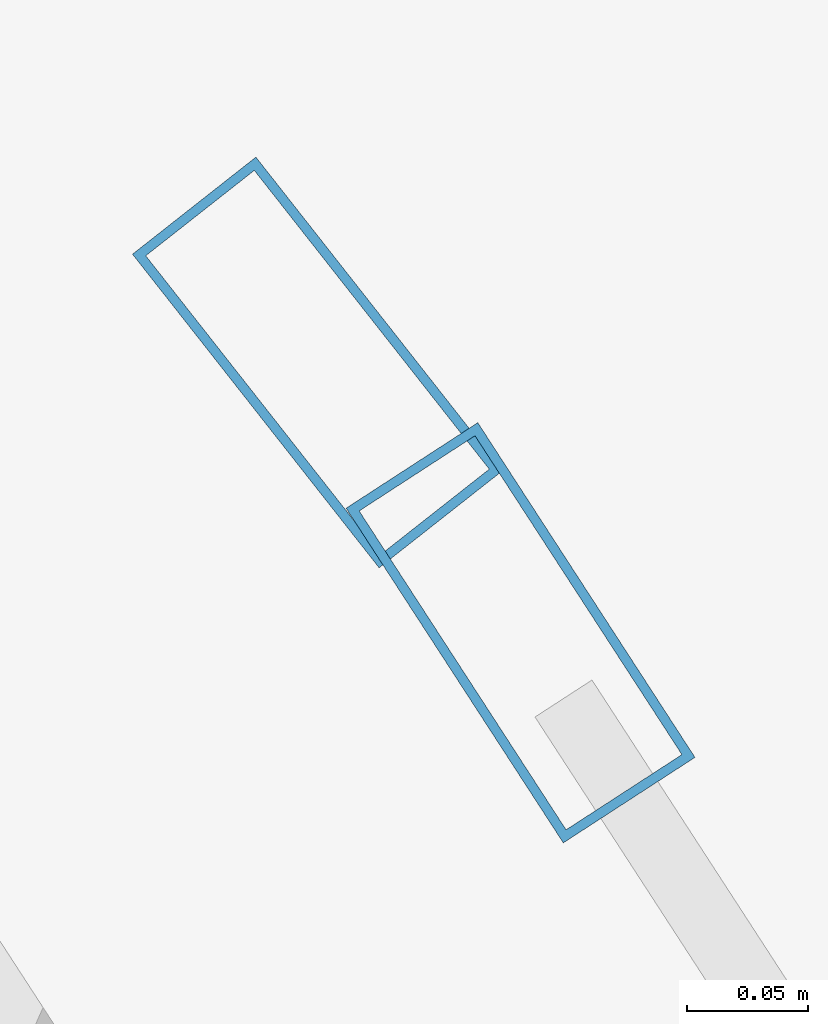
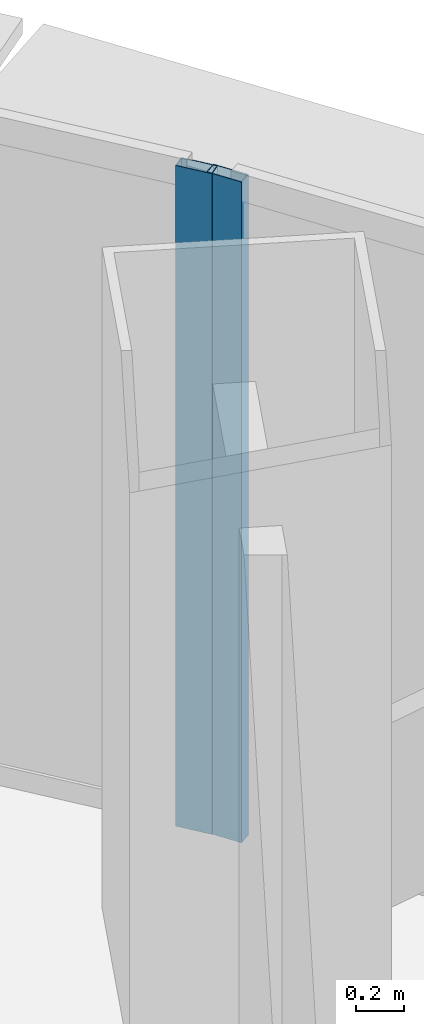
# One storey, part 20 of 41: 2 members, 2 elements without a shape of their own.
"""IFC4 building model written with IfcOpenShell, lengths in metres."""

from ifc_helpers import new_model, si_unit, direction, frame, origin, origin_2d, place, context, subcontext, project, spatial, hollow_rectangle, extrude, source, transform, mapped, material, layer, layer_set, material_profile, profile_set, type_object, element, aggregate, save


model = new_model("IFC4")

# Units and contexts
model_context = context("Model", 3, precision=1e-05, world=origin(), true_north=direction((0.0, 1.0)))
body_context = subcontext(model_context, "Body", "Model", "MODEL_VIEW")
ifc_project = project(units=[si_unit("LENGTHUNIT", "METRE"), si_unit("AREAUNIT", "SQUARE_METRE"), si_unit("VOLUMEUNIT", "CUBIC_METRE"), si_unit("PLANEANGLEUNIT", "RADIAN"), si_unit("MASSUNIT", "GRAM", prefix="KILO"), si_unit("THERMODYNAMICTEMPERATUREUNIT", "KELVIN"), si_unit("POWERUNIT", "WATT")], contexts=[model_context])

# Site, building, storey
site_placement = place(None, origin())
site = spatial("IfcSite", under=ifc_project, at=site_placement, CompositionType="ELEMENT")
building_placement = place(site_placement, origin())
building = spatial("IfcBuilding", under=site, at=building_placement, Name="Yunzhuo Pagoda Commons", CompositionType="ELEMENT")
storey_placement = place(building_placement, frame((0.0, 0.0, 63.070068359375)))
storey = spatial("IfcBuildingStorey", under=building, at=storey_placement, Name="L16", CompositionType="ELEMENT", Elevation=63.070068359375)

# Curtain wall, member
ifc_material = material(Name="Anodized aluminium 6063-T6", Category="aluminium")
ifc_layer = layer(ifc_material, 0.1650390625)
ifc_layer_set = layer_set([ifc_layer], Name="Anodized aluminium 6063-T6")
curtain_wall_type = type_object("IfcCurtainWallType", Name="CW-LOW Low-Zone Ribbon Curtain Wall", PredefinedType="NOTDEFINED", material=ifc_layer_set)
curtain_wall_1_placement = place(storey_placement, origin())
curtain_wall_1 = element("IfcCurtainWall", 1, at=curtain_wall_1_placement, inside=storey, type_object=curtain_wall_type, Name="L16 curtain wall CW-L16-F2B4", PredefinedType="NOTDEFINED")
ifc_material_profile = material_profile(ifc_material, hollow_rectangle(XDim=0.06494140625, YDim=0.1650390625, WallThickness=0.00390625, at=origin_2d()), Name="Anodized aluminium 6063-T6")
ifc_profile_set = profile_set([ifc_material_profile], Name="Anodized aluminium 6063-T6")
member_type = type_object("IfcMemberType", Name="CW-LOW-M Mullion RHS 165x65x4", PredefinedType="MULLION", material=ifc_profile_set)
shared_shape = source(origin(), body_context, "Body", "SweptSolid", [
    extrude(hollow_rectangle(XDim=0.06494140625, YDim=0.1650390625, WallThickness=0.00390625, at=origin_2d()), origin(), (0.0, 0.0, 1.0), 3.369873046875),
])
member_1_placement = place(storey_placement, frame((65.0556640625, 71.9404296875, 0.0), z_axis=(0.0, 0.0, 1.0), x_axis=(-0.838840312647, -0.54437756188, 0.0)))
member_1 = element("IfcMember", 2, at=member_1_placement, type_object=member_type, Name="CW mullion 2", PredefinedType="MULLION", context=body_context, shape_type="MappedRepresentation", body=[
    mapped(shared_shape, transform((0.0, 0.0, 0.0), scale=1.0)),
])
aggregate(curtain_wall_1, [member_1])

curtain_wall_2_placement = place(storey_placement, origin())
curtain_wall_2 = element("IfcCurtainWall", 3, at=curtain_wall_2_placement, inside=storey, type_object=curtain_wall_type, Name="L16 curtain wall CW-L16-F2B5", PredefinedType="NOTDEFINED")
member_2_placement = place(storey_placement, frame((64.9716796875, 72.05224609375, 0.0), z_axis=(0.0, 0.0, 1.0), x_axis=(-0.78604582322, -0.618168232602, 0.0)))
member_2 = element("IfcMember", 4, at=member_2_placement, type_object=member_type, Name="CW mullion 1", PredefinedType="MULLION", context=body_context, shape_type="MappedRepresentation", body=[
    mapped(shared_shape, transform((0.0, 0.0, 0.0), scale=1.0)),
])
aggregate(curtain_wall_2, [member_2])

save(model, "model.ifc")
